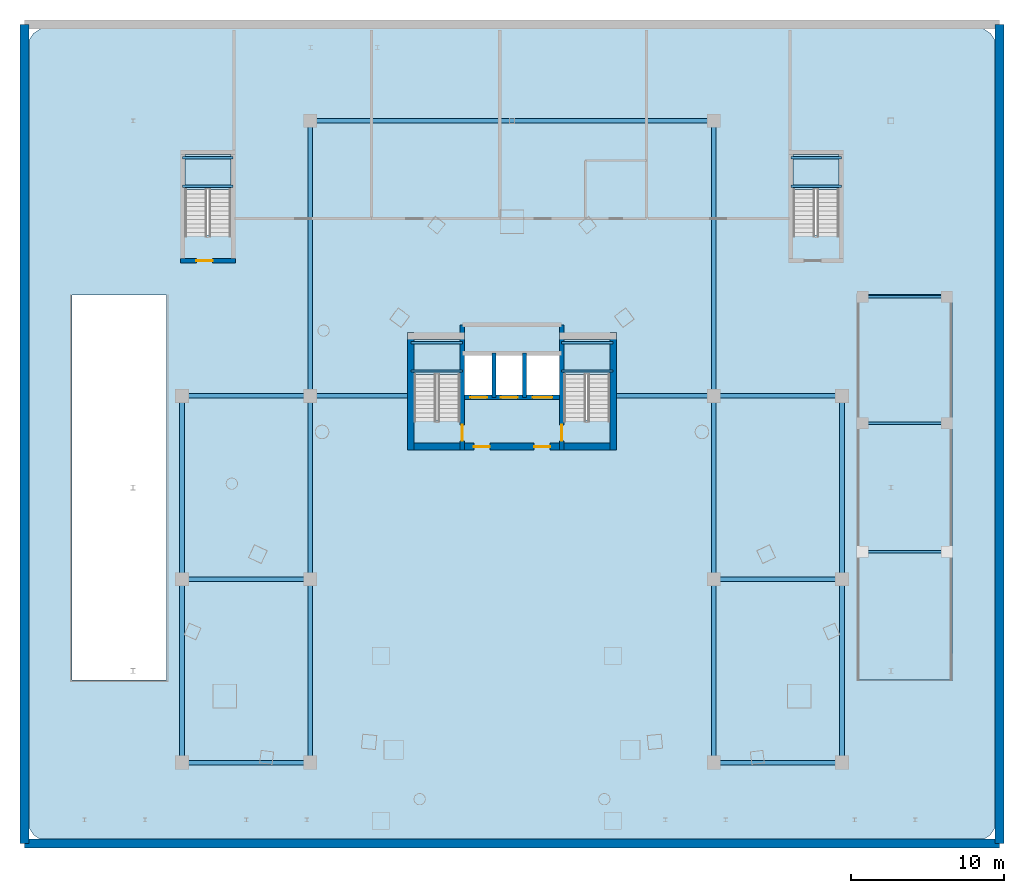
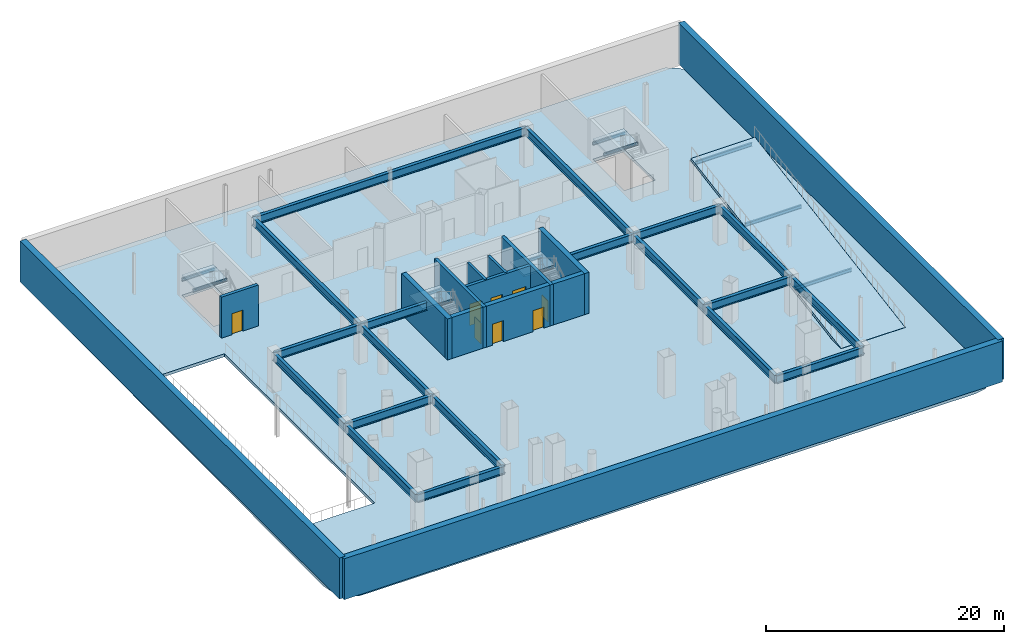
# One storey, part 5 of 10: 30 beams, 12 walls, 8 doors, 6 slabs, 8 openings, 4 elements without a shape of their own.
"""IFC4 building model written with IfcOpenShell, lengths in metres."""

from ifc_helpers import new_model, si_unit, direction, frame, frame_2d, origin, origin_2d, place, context, subcontext, project, spatial, polyline, rectangle, i_section, outline, extrude, material, layer, layer_set, material_profile, profile_set, type_object, element, fill, aggregate, save


model = new_model("IFC4")

# Units and contexts
model_context = context("Model", 3, precision=1e-05, world=origin(), true_north=direction((0.0, 1.0)))
body_context = subcontext(model_context, "Body", "Model", "MODEL_VIEW")
ifc_project = project(units=[si_unit("LENGTHUNIT", "METRE"), si_unit("AREAUNIT", "SQUARE_METRE"), si_unit("VOLUMEUNIT", "CUBIC_METRE"), si_unit("PLANEANGLEUNIT", "RADIAN"), si_unit("MASSUNIT", "GRAM", prefix="KILO")], contexts=[model_context])

# Site, building, storey
site_placement = place(None, origin())
site = spatial("IfcSite", under=ifc_project, at=site_placement, CompositionType="ELEMENT")
building_placement = place(site_placement, origin())
building = spatial("IfcBuilding", under=site, at=building_placement, Name="Orvanel Arch Residences", CompositionType="ELEMENT")
storey_placement = place(building_placement, frame((0.0, 0.0, -4.199951171875)))
storey = spatial("IfcBuildingStorey", under=building, at=storey_placement, Name="B01", CompositionType="ELEMENT", Elevation=-4.199951171875)

# Beams
ifc_material_1 = material(Name="Structural steel AS/NZS 3678 Grade 350", Category="steel")
ifc_material_profile_1 = material_profile(ifc_material_1, i_section(OverallWidth=0.300048828125, OverallDepth=0.81591796875, WebThickness=0.013916015625, FlangeThickness=0.02392578125, at=origin_2d()), Name="800WB192")
ifc_profile_set_1 = profile_set([ifc_material_profile_1], Name="Structural steel AS/NZS 3678 Grade 350")
beam_type_1 = type_object("IfcBeamType", Name="BG-800WB", PredefinedType="BEAM", material=ifc_profile_set_1)
for number, where, z_axis, x_axis, name in (
    (1, (11.39990234375, 6.0, 3.44189453125), (1.0, 0.0, 0.0), (0.0, 1.0, 0.0), "B01 BG-800WB beam"),
    (2, (46.199951171875, 6.0, 3.44189453125), (1.0, 0.0, 0.0), (0.0, 1.0, 0.0), "B01 BG-800WB beam"),
    (3, (11.39990234375, 18.0, 3.44189453125), (1.0, 0.0, 0.0), (0.0, 1.0, 0.0), "B01 BG-800WB beam"),
    (4, (46.199951171875, 18.0, 3.44189453125), (1.0, 0.0, 0.0), (0.0, 1.0, 0.0), "B01 BG-800WB beam"),
    (5, (11.39990234375, 30.0, 3.44189453125), (1.0, 0.0, 0.0), (0.0, 1.0, 0.0), "B01 BG-800WB beam"),
    (6, (46.199951171875, 30.0, 3.44189453125), (1.0, 0.0, 0.0), (0.0, 1.0, 0.0), "B01 BG-800WB beam"),
):
    element("IfcBeam", number, at=place(storey_placement, frame(where, z_axis=z_axis, x_axis=x_axis)), inside=storey, type_object=beam_type_1, Name=name, PredefinedType="BEAM", context=body_context, shape_type="SweptSolid", body=[
        extrude(i_section(OverallWidth=0.300048828125, OverallDepth=0.81591796875, WebThickness=0.013916015625, FlangeThickness=0.02392578125, at=origin_2d()), origin(), (0.0, 0.0, 1.0), 8.400146484375),
    ])
for number, where, z_axis, x_axis, name in (
    (7, (19.800048828125, 30.0, 3.44189453125), (1.0, 0.0, 0.0), (0.0, 1.0, 0.0), "B01 BG-800WB beam"),
    (8, (39.625, 30.0, 3.44189453125), (1.0, 0.0, 0.0), (0.0, 1.0, 0.0), "B01 BG-800WB beam"),
):
    element("IfcBeam", number, at=place(storey_placement, frame(where, z_axis=z_axis, x_axis=x_axis)), inside=storey, type_object=beam_type_1, Name=name, PredefinedType="BEAM", context=body_context, shape_type="SweptSolid", body=[
        extrude(i_section(OverallWidth=0.300048828125, OverallDepth=0.81591796875, WebThickness=0.013916015625, FlangeThickness=0.02392578125, at=origin_2d()), origin(), (0.0, 0.0, 1.0), 6.574951171875),
    ])
beam_1_placement = place(storey_placement, frame((19.800048828125, 48.0, 3.44189453125), z_axis=(1.0, 0.0, 0.0), x_axis=(0.0, 1.0, 0.0)))
element("IfcBeam", 9, at=beam_1_placement, inside=storey, type_object=beam_type_1, Name="B01 BG-800WB beam", PredefinedType="BEAM", context=body_context, shape_type="SweptSolid", body=[
    extrude(i_section(OverallWidth=0.300048828125, OverallDepth=0.81591796875, WebThickness=0.013916015625, FlangeThickness=0.02392578125, at=origin_2d()), origin(), (0.0, 0.0, 1.0), 26.39990234375),
])
for number, where, z_axis, x_axis, name in (
    (10, (11.39990234375, 6.0, 3.44189453125), (0.0, 1.0, 0.0), (-1.0, 0.0, 0.0), "B01 North-South Podium Girder XW11-S"),
    (11, (11.39990234375, 18.0, 3.44189453125), (0.0, 1.0, 0.0), (-1.0, 0.0, 0.0), "B01 North-South Podium Girder XW11-M"),
    (12, (19.800048828125, 6.0, 3.44189453125), (0.0, 1.0, 0.0), (-1.0, 0.0, 0.0), "B01 North-South Podium Girder XW20-S"),
    (13, (19.800048828125, 18.0, 3.44189453125), (0.0, 1.0, 0.0), (-1.0, 0.0, 0.0), "B01 North-South Podium Girder XW20-M"),
):
    element("IfcBeam", number, at=place(storey_placement, frame(where, z_axis=z_axis, x_axis=x_axis)), inside=storey, type_object=beam_type_1, Name=name, PredefinedType="BEAM", context=body_context, shape_type="SweptSolid", body=[
        extrude(i_section(OverallWidth=0.300048828125, OverallDepth=0.81591796875, WebThickness=0.013916015625, FlangeThickness=0.02392578125, at=origin_2d()), origin(), (0.0, 0.0, 1.0), 12.0),
    ])
beam_2_placement = place(storey_placement, frame((19.800048828125, 30.0, 3.44189453125), z_axis=(0.0, 1.0, 0.0), x_axis=(-1.0, 0.0, 0.0)))
element("IfcBeam", 14, at=beam_2_placement, inside=storey, type_object=beam_type_1, Name="B01 North-South Podium Girder XW20-N", PredefinedType="BEAM", context=body_context, shape_type="SweptSolid", body=[
    extrude(i_section(OverallWidth=0.300048828125, OverallDepth=0.81591796875, WebThickness=0.013916015625, FlangeThickness=0.02392578125, at=origin_2d()), origin(), (0.0, 0.0, 1.0), 18.0),
])
for number, where, z_axis, x_axis, name in (
    (15, (46.199951171875, 6.0, 3.44189453125), (0.0, 1.0, 0.0), (-1.0, 0.0, 0.0), "B01 North-South Podium Girder XE46-S"),
    (16, (46.199951171875, 18.0, 3.44189453125), (0.0, 1.0, 0.0), (-1.0, 0.0, 0.0), "B01 North-South Podium Girder XE46-M"),
):
    element("IfcBeam", number, at=place(storey_placement, frame(where, z_axis=z_axis, x_axis=x_axis)), inside=storey, type_object=beam_type_1, Name=name, PredefinedType="BEAM", context=body_context, shape_type="SweptSolid", body=[
        extrude(i_section(OverallWidth=0.300048828125, OverallDepth=0.81591796875, WebThickness=0.013916015625, FlangeThickness=0.02392578125, at=origin_2d()), origin(), (0.0, 0.0, 1.0), 12.0),
    ])
beam_3_placement = place(storey_placement, frame((46.199951171875, 30.0, 3.44189453125), z_axis=(0.0, 1.0, 0.0), x_axis=(-1.0, 0.0, 0.0)))
element("IfcBeam", 17, at=beam_3_placement, inside=storey, type_object=beam_type_1, Name="B01 North-South Podium Girder XE46-N", PredefinedType="BEAM", context=body_context, shape_type="SweptSolid", body=[
    extrude(i_section(OverallWidth=0.300048828125, OverallDepth=0.81591796875, WebThickness=0.013916015625, FlangeThickness=0.02392578125, at=origin_2d()), origin(), (0.0, 0.0, 1.0), 18.0),
])
for number, where, z_axis, x_axis, name in (
    (18, (54.60009765625, 6.0, 3.44189453125), (0.0, 1.0, 0.0), (-1.0, 0.0, 0.0), "B01 North-South Podium Girder XE55-S"),
    (19, (54.60009765625, 18.0, 3.44189453125), (0.0, 1.0, 0.0), (-1.0, 0.0, 0.0), "B01 North-South Podium Girder XE55-M"),
):
    element("IfcBeam", number, at=place(storey_placement, frame(where, z_axis=z_axis, x_axis=x_axis)), inside=storey, type_object=beam_type_1, Name=name, PredefinedType="BEAM", context=body_context, shape_type="SweptSolid", body=[
        extrude(i_section(OverallWidth=0.300048828125, OverallDepth=0.81591796875, WebThickness=0.013916015625, FlangeThickness=0.02392578125, at=origin_2d()), origin(), (0.0, 0.0, 1.0), 12.0),
    ])
ifc_material_2 = material(Name="Structural steel AS/NZS 3679.1 Grade 300 (300 MPa)", Category="steel")
ifc_material_profile_2 = material_profile(ifc_material_2, i_section(OverallWidth=0.14599609375, OverallDepth=0.251953125, WebThickness=0.006103515625, FlangeThickness=0.008544921875, at=origin_2d()), Name="250UB31.4")
ifc_profile_set_2 = profile_set([ifc_material_profile_2], Name="Structural steel AS/NZS 3679.1 Grade 300 (300 MPa)")
beam_type_2 = type_object("IfcBeamType", Name="BJ-250UB", PredefinedType="JOIST", material=ifc_profile_set_2)
for number, where, z_axis, x_axis, name in (
    (20, (26.39990234375, 31.6201171875, 1.77392578125), (1.0, 0.0, 0.0), (0.0, 1.0, 0.0), "B01 ST-1 Half-Landing Support Beam 1.1"),
    (21, (26.39990234375, 33.47998046875, 1.77392578125), (1.0, 0.0, 0.0), (0.0, 1.0, 0.0), "B01 ST-1 Half-Landing Support Beam 1.2"),
    (22, (36.25, 31.6201171875, 1.77392578125), (1.0, 0.0, 0.0), (0.0, 1.0, 0.0), "B01 ST-2 Half-Landing Support Beam 1.1"),
    (23, (36.25, 33.47998046875, 1.77392578125), (1.0, 0.0, 0.0), (0.0, 1.0, 0.0), "B01 ST-2 Half-Landing Support Beam 1.2"),
):
    element("IfcBeam", number, at=place(storey_placement, frame(where, z_axis=z_axis, x_axis=x_axis)), inside=storey, type_object=beam_type_2, Name=name, PredefinedType="JOIST", context=body_context, shape_type="SweptSolid", body=[
        extrude(i_section(OverallWidth=0.14599609375, OverallDepth=0.251953125, WebThickness=0.006103515625, FlangeThickness=0.008544921875, at=origin_2d()), origin(), (0.0, 0.0, 1.0), 3.35009765625),
    ])
for number, where, z_axis, x_axis, name in (
    (24, (11.449951171875, 43.719970703125, 1.77392578125), (1.0, 0.0, 0.0), (0.0, 1.0, 0.0), "B01 ST-3 Half-Landing Support Beam 1.1"),
    (25, (11.449951171875, 45.580078125, 1.77392578125), (1.0, 0.0, 0.0), (0.0, 1.0, 0.0), "B01 ST-3 Half-Landing Support Beam 1.2"),
    (26, (51.25, 43.719970703125, 1.77392578125), (1.0, 0.0, 0.0), (0.0, 1.0, 0.0), "B01 ST-4 Half-Landing Support Beam 1.1"),
    (27, (51.25, 45.580078125, 1.77392578125), (1.0, 0.0, 0.0), (0.0, 1.0, 0.0), "B01 ST-4 Half-Landing Support Beam 1.2"),
):
    element("IfcBeam", number, at=place(storey_placement, frame(where, z_axis=z_axis, x_axis=x_axis)), inside=storey, type_object=beam_type_2, Name=name, PredefinedType="JOIST", context=body_context, shape_type="SweptSolid", body=[
        extrude(i_section(OverallWidth=0.14599609375, OverallDepth=0.251953125, WebThickness=0.006103515625, FlangeThickness=0.008544921875, at=origin_2d()), origin(), (0.0, 0.0, 1.0), 3.300048828125),
    ])
ifc_material_profile_3 = material_profile(ifc_material_2, i_section(OverallWidth=0.1708984375, OverallDepth=0.35595703125, WebThickness=0.00732421875, FlangeThickness=0.011474609375, at=origin_2d()), Name="360UB50.7")
ifc_profile_set_3 = profile_set([ifc_material_profile_3], Name="Structural steel AS/NZS 3679.1 Grade 300 (300 MPa)")
beam_type_3 = type_object("IfcBeamType", Name="BJ-360UB", PredefinedType="JOIST", material=ifc_profile_set_3)
for number, where, z_axis, x_axis, name in (
    (28, (55.949951171875, 19.800048828125, 0.94189453125), (1.0, 0.0, 0.0), (0.0, 1.0, 0.0), "B01 East Ramp Support Cross-Beam"),
    (29, (55.949951171875, 28.199951171875, 2.342041015625), (1.0, 0.0, 0.0), (0.0, 1.0, 0.0), "B01 East Ramp Support Cross-Beam"),
    (30, (55.949951171875, 36.5, 3.671875), (1.0, 0.0, 0.0), (0.0, 1.0, 0.0), "B01 East Ramp Support Cross-Beam"),
):
    element("IfcBeam", number, at=place(storey_placement, frame(where, z_axis=z_axis, x_axis=x_axis)), inside=storey, type_object=beam_type_3, Name=name, PredefinedType="JOIST", context=body_context, shape_type="SweptSolid", body=[
        extrude(i_section(OverallWidth=0.1708984375, OverallDepth=0.35595703125, WebThickness=0.00732421875, FlangeThickness=0.011474609375, at=origin_2d()), origin(), (0.0, 0.0, 1.0), 5.5),
    ])

# Slab
ifc_material_3 = material(Name="Concrete N40 (40 MPa)", Category="concrete")
ifc_layer_1 = layer(ifc_material_3, 0.300048828125)
ifc_layer_set_1 = layer_set([ifc_layer_1], Name="Concrete N40 (40 MPa)")
slab_type_1 = type_object("IfcSlabType", Name="SLB-BSM-300", PredefinedType="FLOOR", material=ifc_layer_set_1)
slab_1_placement = place(storey_placement, frame((0.0, 0.0, -0.300048828125)))
element("IfcSlab", 31, at=slab_1_placement, inside=storey, type_object=slab_type_1, Name="B01 Basement Car-Park Suspended Slab", PredefinedType="FLOOR", context=body_context, shape_type="SweptSolid", body=[
    extrude(outline(polyline([(62.199951171875, 0.39990234375), (63.347900390625, 0.6279296875), (64.321044921875, 1.279052734375), (64.971923828125, 2.251953125), (65.199951171875, 51.60009765625), (64.971923828125, 52.748046875), (64.321044921875, 53.720947265625), (63.347900390625, 54.3720703125), (3.800048828125, 54.60009765625), (2.652099609375, 54.3720703125), (1.678955078125, 53.720947265625), (1.028076171875, 52.748046875), (0.800048828125, 3.39990234375), (1.028076171875, 2.251953125), (1.678955078125, 1.279052734375), (2.652099609375, 0.6279296875), (62.199951171875, 0.39990234375)]), holes=[polyline([(26.60009765625, 28.429931640625), (26.60009765625, 33.699951171875), (29.60009765625, 33.699951171875), (29.60009765625, 28.429931640625), (26.60009765625, 28.429931640625)]), polyline([(36.39990234375, 28.429931640625), (36.39990234375, 33.699951171875), (39.39990234375, 33.699951171875), (39.39990234375, 28.429931640625), (36.39990234375, 28.429931640625)]), polyline([(11.60009765625, 40.530029296875), (11.60009765625, 45.800048828125), (14.60009765625, 45.800048828125), (14.60009765625, 40.530029296875), (11.60009765625, 40.530029296875)]), polyline([(51.39990234375, 40.530029296875), (51.39990234375, 45.800048828125), (54.39990234375, 45.800048828125), (54.39990234375, 40.530029296875), (51.39990234375, 40.530029296875)]), polyline([(29.89990234375, 32.64990234375), (31.75, 32.64990234375), (31.75, 29.949951171875), (29.89990234375, 29.949951171875), (29.89990234375, 32.64990234375)]), polyline([(31.89990234375, 32.64990234375), (33.75, 32.64990234375), (33.75, 29.949951171875), (31.89990234375, 29.949951171875), (31.89990234375, 32.64990234375)]), polyline([(33.89990234375, 32.64990234375), (36.10009765625, 32.64990234375), (36.10009765625, 29.949951171875), (33.89990234375, 29.949951171875), (33.89990234375, 32.64990234375)]), polyline([(4.199951171875, 36.60009765625), (10.39990234375, 36.60009765625), (10.39990234375, 11.39990234375), (4.199951171875, 11.39990234375), (4.199951171875, 36.60009765625)]), polyline([(55.580078125, 13.14990234375), (61.820068359375, 13.14990234375), (61.820068359375, 11.3798828125), (55.580078125, 11.3798828125), (55.580078125, 13.14990234375)])]), origin(), (0.0, 0.0, 1.0), 0.300048828125),
])

# Stair, slab
ifc_material_4 = material(Name="Precast concrete N50 (50 MPa)", Category="concrete")
stair_type = type_object("IfcStairType", Name="STR-DOG-175", PredefinedType="USERDEFINED", material=ifc_material_4)
stair_1_placement = place(storey_placement, origin())
stair_1 = element("IfcStair", 32, at=stair_1_placement, inside=storey, type_object=stair_type, Name="B01 Fire-Isolated Core Exit Stair 1", ObjectType="TWO_RETURN_STAIR", PredefinedType="USERDEFINED")
ifc_layer_2 = layer(ifc_material_3, 0.199951171875)
ifc_layer_set_2 = layer_set([ifc_layer_2], Name="Concrete N40 (40 MPa)")
slab_type_2 = type_object("IfcSlabType", Name="SLB-LND-200", PredefinedType="LANDING", material=ifc_layer_set_2)
slab_2_placement = place(storey_placement, frame((0.0, 0.0, 1.89990234375)))
slab_2 = element("IfcSlab", 33, at=slab_2_placement, type_object=slab_type_2, Name="ST-1 landing 1", PredefinedType="LANDING", context=body_context, shape_type="SweptSolid", body=[
    extrude(outline(polyline([(29.60009765625, 31.39990234375), (29.60009765625, 33.699951171875), (26.60009765625, 33.699951171875), (26.60009765625, 31.39990234375), (29.60009765625, 31.39990234375)])), origin(), (0.0, 0.0, 1.0), 0.199951171875),
])
aggregate(stair_1, [slab_2])

stair_2_placement = place(storey_placement, origin())
stair_2 = element("IfcStair", 34, at=stair_2_placement, inside=storey, type_object=stair_type, Name="B01 Fire-Isolated Core Exit Stair 2", ObjectType="TWO_RETURN_STAIR", PredefinedType="USERDEFINED")
slab_3_placement = place(storey_placement, frame((0.0, 0.0, 1.89990234375)))
slab_3 = element("IfcSlab", 35, at=slab_3_placement, type_object=slab_type_2, Name="ST-2 landing 1", PredefinedType="LANDING", context=body_context, shape_type="SweptSolid", body=[
    extrude(outline(polyline([(39.39990234375, 31.39990234375), (39.39990234375, 33.699951171875), (36.39990234375, 33.699951171875), (36.39990234375, 31.39990234375), (39.39990234375, 31.39990234375)])), origin(), (0.0, 0.0, 1.0), 0.199951171875),
])
aggregate(stair_2, [slab_3])

stair_3_placement = place(storey_placement, origin())
stair_3 = element("IfcStair", 36, at=stair_3_placement, inside=storey, type_object=stair_type, Name="B01 West Podium Fire-Isolated Exit Stair 3", ObjectType="TWO_RETURN_STAIR", PredefinedType="USERDEFINED")
slab_4_placement = place(storey_placement, frame((0.0, 0.0, 1.89990234375)))
slab_4 = element("IfcSlab", 37, at=slab_4_placement, type_object=slab_type_2, Name="ST-3 landing 1", PredefinedType="LANDING", context=body_context, shape_type="SweptSolid", body=[
    extrude(outline(polyline([(14.60009765625, 43.5), (14.60009765625, 45.800048828125), (11.60009765625, 45.800048828125), (11.60009765625, 43.5), (14.60009765625, 43.5)])), origin(), (0.0, 0.0, 1.0), 0.199951171875),
])
aggregate(stair_3, [slab_4])

stair_4_placement = place(storey_placement, origin())
stair_4 = element("IfcStair", 38, at=stair_4_placement, inside=storey, type_object=stair_type, Name="B01 East Podium Fire-Isolated Exit Stair 4", ObjectType="TWO_RETURN_STAIR", PredefinedType="USERDEFINED")
slab_5_placement = place(storey_placement, frame((0.0, 0.0, 1.89990234375)))
slab_5 = element("IfcSlab", 39, at=slab_5_placement, type_object=slab_type_2, Name="ST-4 landing 1", PredefinedType="LANDING", context=body_context, shape_type="SweptSolid", body=[
    extrude(outline(polyline([(54.39990234375, 43.5), (54.39990234375, 45.800048828125), (51.39990234375, 45.800048828125), (51.39990234375, 43.5), (54.39990234375, 43.5)])), origin(), (0.0, 0.0, 1.0), 0.199951171875),
])
aggregate(stair_4, [slab_5])

# Slab
ifc_material_5 = material(Name="Concrete N50 (50 MPa)", Category="concrete")
ifc_layer_3 = layer(ifc_material_5, 0.280029296875)
ifc_layer_set_3 = layer_set([ifc_layer_3], Name="Concrete N50 (50 MPa)")
slab_type_3 = type_object("IfcSlabType", Name="SLB-VRAMP-280", PredefinedType="FLOOR", material=ifc_layer_set_3)
slab_6_placement = place(storey_placement, frame((55.60009765625, 11.39990234375, 0.0), z_axis=(0.0, -0.164395887986, 0.98639444038), x_axis=(1.0, 0.0, 0.0)))
element("IfcSlab", 40, at=slab_6_placement, inside=storey, type_object=slab_type_3, Name="B01 to L00 Structural Vehicle Ramp Slab", PredefinedType="FLOOR", context=body_context, shape_type="SweptSolid", body=[
    extrude(outline(polyline([(0.0, 0.0), (6.199951171875, 0.0), (6.199951171875, 25.54778725514758), (0.0, 25.54778725514758), (0.0, 0.0)])), origin(), (0.0, 0.0, -1.0), 0.280029296875),
])

# Walls
ifc_layer_4 = layer(ifc_material_5, 0.60009765625)
ifc_layer_set_4 = layer_set([ifc_layer_4], Name="Concrete N50 (50 MPa)")
wall_type_1 = type_object("IfcWallType", Name="RW-BSM-600", PredefinedType="USERDEFINED", material=ifc_layer_set_4)
wall_1_placement = place(storey_placement, frame((1.10009765625, 0.699951171875, 0.0), z_axis=(0.0, 0.0, 1.0), x_axis=(1.0, 0.0, 0.0)))
element("IfcWall", 41, at=wall_1_placement, inside=storey, type_object=wall_type_1, Name="B01 S Basement Retaining Wall", ObjectType="RETAININGWALL", PredefinedType="USERDEFINED", context=body_context, shape_type="SweptSolid", body=[
    extrude(rectangle(XDim=63.7998046875, YDim=0.60009765625, at=frame_2d((31.89990234375, 0.0))), origin(), (0.0, 0.0, 1.0), 4.199951171875),
])
for number, where, z_axis, x_axis, name in (
    (42, (64.89990234375, 0.699951171875, 0.0), (0.0, 0.0, 1.0), (0.0, 1.0, 0.0), "B01 E Basement Retaining Wall"),
    (43, (1.10009765625, 54.300048828125, 0.0), (0.0, 0.0, 1.0), (0.0, -1.0, 0.0), "B01 W Basement Retaining Wall"),
):
    element("IfcWall", number, at=place(storey_placement, frame(where, z_axis=z_axis, x_axis=x_axis)), inside=storey, type_object=wall_type_1, Name=name, ObjectType="RETAININGWALL", PredefinedType="USERDEFINED", context=body_context, shape_type="SweptSolid", body=[
        extrude(rectangle(XDim=53.60009765625, YDim=0.60009765625, at=frame_2d((26.800048828125, 0.0))), origin(), (0.0, 0.0, 1.0), 4.199951171875),
    ])
ifc_layer_5 = layer(ifc_material_5, 0.25)
ifc_layer_set_5 = layer_set([ifc_layer_5], Name="Concrete N50 (50 MPa)")
wall_type_2 = type_object("IfcWallType", Name="SW-CORE-250", PredefinedType="SHEAR", material=ifc_layer_set_5)
for number, where, z_axis, x_axis, name in (
    (44, (31.824951171875, 29.89990234375, 0.0), (0.0, 0.0, 1.0), (0.0, 1.0, 0.0), "B01 Emergency Lift Inter-Shaft Wall F12"),
    (45, (33.824951171875, 29.89990234375, 0.0), (0.0, 0.0, 1.0), (0.0, 1.0, 0.0), "B01 Emergency Lift Inter-Shaft Wall F2G"),
):
    element("IfcWall", number, at=place(storey_placement, frame(where, z_axis=z_axis, x_axis=x_axis)), inside=storey, type_object=wall_type_2, Name=name, PredefinedType="SHEAR", context=body_context, shape_type="SweptSolid", body=[
        extrude(rectangle(XDim=2.900146484375, YDim=0.25, at=frame_2d((1.4501953125, 0.0))), origin(), (0.0, 0.0, 1.0), 4.199951171875),
    ])

# Wall, opening, door
ifc_material_6 = material(Name="Concrete S80 (80 MPa)", Category="concrete")
ifc_layer_6 = layer(ifc_material_6, 0.300048828125)
ifc_layer_set_6 = layer_set([ifc_layer_6], Name="Concrete S80 (80 MPa)")
wall_type_3 = type_object("IfcWallType", Name="SW-CORE-300", PredefinedType="SHEAR", material=ifc_layer_set_6)
wall_2_placement = place(storey_placement, frame((29.75, 26.449951171875, 0.0), z_axis=(0.0, 0.0, 1.0), x_axis=(0.0, 1.0, 0.0)))
wall_2 = element("IfcWall", 46, at=wall_2_placement, inside=storey, type_object=wall_type_3, Name="B01 West Inner Core Spine Shear Wall", PredefinedType="SHEAR", context=body_context, shape_type="SweptSolid", body=[
    extrude(rectangle(XDim=8.199951171875, YDim=0.300048828125, at=frame_2d((4.10009765625, 0.0))), origin(), (0.0, 0.0, 1.0), 4.199951171875),
])
opening_1_placement = place(wall_2_placement, frame((0.60009765625, 0.0, 0.0)))
opening_1 = element("IfcOpeningElement", 47, at=opening_1_placement, cuts=wall_2, Name="Opening DF-120", PredefinedType="OPENING", context=body_context, shape_type="SweptSolid", body=[
    extrude(rectangle(XDim=1.050048828125, YDim=2.14990234375, at=frame_2d((0.52490234375, 1.074951171875))), frame((0.0, 0.159912109375, 0.0), z_axis=(0.0, -1.0, 0.0), x_axis=(1.0, 0.0, 0.0)), (0.0, 0.0, 1.0), 0.320068359375),
])
ifc_material_7 = material(Name="Galvanised steel fire-resisting door assembly", Category="steel")
door_type_1 = type_object("IfcDoorType", Name="DR-FD120-1050", OperationType="NOTDEFINED", PredefinedType="DOOR", material=ifc_material_7)
door_1_placement = place(opening_1_placement, origin())
door_1 = element("IfcDoor", 48, at=door_1_placement, inside=storey, type_object=door_type_1, Name="DR-B01-ST1 B01 Stair 1 Fire Door", OperationType="SINGLE_SWING_LEFT", OverallHeight=2.14990234375, OverallWidth=1.050048828125, PredefinedType="DOOR", context=body_context, shape_type="SweptSolid", body=[
    extrude(rectangle(XDim=1.050048828125, YDim=2.14990234375, at=frame_2d((0.52490234375, 1.074951171875))), frame((0.0, 0.02490234375, 0.0), z_axis=(0.0, -1.0, 0.0), x_axis=(1.0, 0.0, 0.0)), (0.0, 0.0, 1.0), 0.050048828125),
])
fill(opening_1, door_1)

wall_3_placement = place(storey_placement, frame((36.25, 26.449951171875, 0.0), z_axis=(0.0, 0.0, 1.0), x_axis=(0.0, 1.0, 0.0)))
wall_3 = element("IfcWall", 49, at=wall_3_placement, inside=storey, type_object=wall_type_3, Name="B01 East Inner Core Spine Shear Wall", PredefinedType="SHEAR", context=body_context, shape_type="SweptSolid", body=[
    extrude(rectangle(XDim=8.199951171875, YDim=0.300048828125, at=frame_2d((4.10009765625, 0.0))), origin(), (0.0, 0.0, 1.0), 4.199951171875),
])
opening_2_placement = place(wall_3_placement, frame((0.60009765625, 0.0, 0.0)))
opening_2 = element("IfcOpeningElement", 50, at=opening_2_placement, cuts=wall_3, Name="Opening DF-120", PredefinedType="OPENING", context=body_context, shape_type="SweptSolid", body=[
    extrude(rectangle(XDim=1.050048828125, YDim=2.14990234375, at=frame_2d((0.52490234375, 1.074951171875))), frame((0.0, 0.159912109375, 0.0), z_axis=(0.0, -1.0, 0.0), x_axis=(1.0, 0.0, 0.0)), (0.0, 0.0, 1.0), 0.320068359375),
])
door_2_placement = place(opening_2_placement, origin())
door_2 = element("IfcDoor", 51, at=door_2_placement, inside=storey, type_object=door_type_1, Name="DR-B01-ST2 B01 Stair 2 Fire Door", OperationType="SINGLE_SWING_RIGHT", OverallHeight=2.14990234375, OverallWidth=1.050048828125, PredefinedType="DOOR", context=body_context, shape_type="SweptSolid", body=[
    extrude(rectangle(XDim=1.050048828125, YDim=2.14990234375, at=frame_2d((0.52490234375, 1.074951171875))), frame((0.0, 0.02490234375, 0.0), z_axis=(0.0, -1.0, 0.0), x_axis=(1.0, 0.0, 0.0)), (0.0, 0.0, 1.0), 0.050048828125),
])
fill(opening_2, door_2)

# Wall, openings, doors
wall_4_placement = place(storey_placement, frame((36.25, 29.89990234375, 0.0), z_axis=(0.0, 0.0, 1.0), x_axis=(-1.0, 0.0, 0.0)))
wall_4 = element("IfcWall", 52, at=wall_4_placement, inside=storey, type_object=wall_type_3, Name="B01 Emergency Lift Front Core Shear Wall", PredefinedType="SHEAR", context=body_context, shape_type="SweptSolid", body=[
    extrude(rectangle(XDim=6.5, YDim=0.300048828125, at=frame_2d((3.25, 0.0))), origin(), (0.0, 0.0, 1.0), 4.199951171875),
])
opening_3_placement = place(wall_4_placement, frame((4.875, 0.0, 0.0)))
opening_3 = element("IfcOpeningElement", 53, at=opening_3_placement, cuts=wall_4, Name="Opening LD-110", PredefinedType="OPENING", context=body_context, shape_type="SweptSolid", body=[
    extrude(rectangle(XDim=1.10009765625, YDim=2.199951171875, at=frame_2d((0.550048828125, 1.10009765625))), frame((0.0, 0.159912109375, 0.0), z_axis=(0.0, -1.0, 0.0), x_axis=(1.0, 0.0, 0.0)), (0.0, 0.0, 1.0), 0.320068359375),
])
opening_4_placement = place(wall_4_placement, frame((2.875, 0.0, 0.0)))
opening_4 = element("IfcOpeningElement", 54, at=opening_4_placement, cuts=wall_4, Name="Opening LD-110", PredefinedType="OPENING", context=body_context, shape_type="SweptSolid", body=[
    extrude(rectangle(XDim=1.10009765625, YDim=2.199951171875, at=frame_2d((0.550048828125, 1.10009765625))), frame((0.0, 0.159912109375, 0.0), z_axis=(0.0, -1.0, 0.0), x_axis=(1.0, 0.0, 0.0)), (0.0, 0.0, 1.0), 0.320068359375),
])
opening_5_placement = place(wall_4_placement, frame((0.60009765625, 0.0, 0.0)))
opening_5 = element("IfcOpeningElement", 55, at=opening_5_placement, cuts=wall_4, Name="Opening LD-130", PredefinedType="OPENING", context=body_context, shape_type="SweptSolid", body=[
    extrude(rectangle(XDim=1.300048828125, YDim=2.199951171875, at=frame_2d((0.64990234375, 1.10009765625))), frame((0.0, 0.159912109375, 0.0), z_axis=(0.0, -1.0, 0.0), x_axis=(1.0, 0.0, 0.0)), (0.0, 0.0, 1.0), 0.320068359375),
])
door_type_2 = type_object("IfcDoorType", Name="DR-LFT-1100", OperationType="NOTDEFINED", PredefinedType="DOOR", material=ifc_material_7)
door_3_placement = place(opening_3_placement, origin())
door_3 = element("IfcDoor", 56, at=door_3_placement, inside=storey, type_object=door_type_2, Name="LD-F1-B01 B01 Lift F1 Sliding Landing Door", OperationType="DOUBLE_DOOR_SLIDING", OverallHeight=2.199951171875, OverallWidth=1.10009765625, PredefinedType="DOOR", context=body_context, shape_type="SweptSolid", body=[
    extrude(rectangle(XDim=1.10009765625, YDim=2.199951171875, at=frame_2d((0.550048828125, 1.10009765625))), frame((0.0, 0.02490234375, 0.0), z_axis=(0.0, -1.0, 0.0), x_axis=(1.0, 0.0, 0.0)), (0.0, 0.0, 1.0), 0.050048828125),
])
fill(opening_3, door_3)
door_4_placement = place(opening_4_placement, origin())
door_4 = element("IfcDoor", 57, at=door_4_placement, inside=storey, type_object=door_type_2, Name="LD-F2-B01 B01 Lift F2 Sliding Landing Door", OperationType="DOUBLE_DOOR_SLIDING", OverallHeight=2.199951171875, OverallWidth=1.10009765625, PredefinedType="DOOR", context=body_context, shape_type="SweptSolid", body=[
    extrude(rectangle(XDim=1.10009765625, YDim=2.199951171875, at=frame_2d((0.550048828125, 1.10009765625))), frame((0.0, 0.02490234375, 0.0), z_axis=(0.0, -1.0, 0.0), x_axis=(1.0, 0.0, 0.0)), (0.0, 0.0, 1.0), 0.050048828125),
])
fill(opening_4, door_4)
door_type_3 = type_object("IfcDoorType", Name="DR-LFT-1300", OperationType="NOTDEFINED", PredefinedType="DOOR", material=ifc_material_7)
door_5_placement = place(opening_5_placement, origin())
door_5 = element("IfcDoor", 58, at=door_5_placement, inside=storey, type_object=door_type_3, Name="LD-G1-B01 B01 Lift G1 Sliding Landing Door", OperationType="DOUBLE_DOOR_SLIDING", OverallHeight=2.199951171875, OverallWidth=1.300048828125, PredefinedType="DOOR", context=body_context, shape_type="SweptSolid", body=[
    extrude(rectangle(XDim=1.300048828125, YDim=2.199951171875, at=frame_2d((0.64990234375, 1.10009765625))), frame((0.0, 0.02490234375, 0.0), z_axis=(0.0, -1.0, 0.0), x_axis=(1.0, 0.0, 0.0)), (0.0, 0.0, 1.0), 0.050048828125),
])
fill(opening_5, door_5)

# Wall, opening, door
wall_5_placement = place(storey_placement, frame((11.300048828125, 38.85009765625, 0.0), z_axis=(0.0, 0.0, 1.0), x_axis=(1.0, 0.0, 0.0)))
wall_5 = element("IfcWall", 59, at=wall_5_placement, inside=storey, type_object=wall_type_3, Name="B01 ST3 South Shear Wall", PredefinedType="SHEAR", context=body_context, shape_type="SweptSolid", body=[
    extrude(rectangle(XDim=3.599853515625, YDim=0.300048828125, at=frame_2d((1.7998046875, 0.0))), origin(), (0.0, 0.0, 1.0), 4.199951171875),
])
opening_6_placement = place(wall_5_placement, frame((1.050048828125, 0.0, 0.0)))
opening_6 = element("IfcOpeningElement", 60, at=opening_6_placement, cuts=wall_5, Name="Opening DF-120", PredefinedType="OPENING", context=body_context, shape_type="SweptSolid", body=[
    extrude(rectangle(XDim=1.050048828125, YDim=2.14990234375, at=frame_2d((0.52490234375, 1.074951171875))), frame((0.0, 0.159912109375, 0.0), z_axis=(0.0, -1.0, 0.0), x_axis=(1.0, 0.0, 0.0)), (0.0, 0.0, 1.0), 0.320068359375),
])
door_6_placement = place(opening_6_placement, origin())
door_6 = element("IfcDoor", 61, at=door_6_placement, inside=storey, type_object=door_type_1, Name="DR-B01-ST3 B01 ST3 Exit Door", OperationType="SINGLE_SWING_LEFT", OverallHeight=2.14990234375, OverallWidth=1.050048828125, PredefinedType="DOOR", context=body_context, shape_type="SweptSolid", body=[
    extrude(rectangle(XDim=1.050048828125, YDim=2.14990234375, at=frame_2d((0.52490234375, 1.074951171875))), frame((0.0, 0.02490234375, 0.0), z_axis=(0.0, -1.0, 0.0), x_axis=(1.0, 0.0, 0.0)), (0.0, 0.0, 1.0), 0.050048828125),
])
fill(opening_6, door_6)

# Wall, openings, doors
ifc_layer_7 = layer(ifc_material_6, 0.449951171875)
ifc_layer_set_7 = layer_set([ifc_layer_7], Name="Concrete S80 (80 MPa)")
wall_type_4 = type_object("IfcWallType", Name="SW-CORE-450", PredefinedType="SHEAR", material=ifc_layer_set_7)
wall_6_placement = place(storey_placement, frame((26.14990234375, 26.675048828125, 0.0), z_axis=(0.0, 0.0, 1.0), x_axis=(1.0, 0.0, 0.0)))
wall_6 = element("IfcWall", 62, at=wall_6_placement, inside=storey, type_object=wall_type_4, Name="B01 South Core Shear Wall", PredefinedType="SHEAR", context=body_context, shape_type="SweptSolid", body=[
    extrude(rectangle(XDim=13.7001953125, YDim=0.449951171875, at=frame_2d((6.85009765625, 0.0))), origin(), (0.0, 0.0, 1.0), 4.199951171875),
])
opening_7_placement = place(wall_6_placement, frame((4.35009765625, 0.0, 0.0)))
opening_7 = element("IfcOpeningElement", 63, at=opening_7_placement, cuts=wall_6, Name="Opening DF-060", PredefinedType="OPENING", context=body_context, shape_type="SweptSolid", body=[
    extrude(rectangle(XDim=1.050048828125, YDim=2.14990234375, at=frame_2d((0.52490234375, 1.074951171875))), frame((0.0, 0.23486328125, 0.0), z_axis=(0.0, -1.0, 0.0), x_axis=(1.0, 0.0, 0.0)), (0.0, 0.0, 1.0), 0.469970703125),
])
opening_8_placement = place(wall_6_placement, frame((8.300048828125, 0.0, 0.0)))
opening_8 = element("IfcOpeningElement", 64, at=opening_8_placement, cuts=wall_6, Name="Opening DF-060", PredefinedType="OPENING", context=body_context, shape_type="SweptSolid", body=[
    extrude(rectangle(XDim=1.050048828125, YDim=2.14990234375, at=frame_2d((0.52490234375, 1.074951171875))), frame((0.0, 0.23486328125, 0.0), z_axis=(0.0, -1.0, 0.0), x_axis=(1.0, 0.0, 0.0)), (0.0, 0.0, 1.0), 0.469970703125),
])
door_type_4 = type_object("IfcDoorType", Name="DR-FD60-1050", OperationType="NOTDEFINED", PredefinedType="DOOR", material=ifc_material_7)
door_7_placement = place(opening_7_placement, origin())
door_7 = element("IfcDoor", 65, at=door_7_placement, inside=storey, type_object=door_type_4, Name="DR-B01-FFL-W B01 West Smoke Lobby Door", OperationType="SINGLE_SWING_LEFT", OverallHeight=2.14990234375, OverallWidth=1.050048828125, PredefinedType="DOOR", context=body_context, shape_type="SweptSolid", body=[
    extrude(rectangle(XDim=1.050048828125, YDim=2.14990234375, at=frame_2d((0.52490234375, 1.074951171875))), frame((0.0, 0.02490234375, 0.0), z_axis=(0.0, -1.0, 0.0), x_axis=(1.0, 0.0, 0.0)), (0.0, 0.0, 1.0), 0.050048828125),
])
fill(opening_7, door_7)
door_8_placement = place(opening_8_placement, origin())
door_8 = element("IfcDoor", 66, at=door_8_placement, inside=storey, type_object=door_type_4, Name="DR-B01-FFL-E B01 East Smoke Lobby Door", OperationType="SINGLE_SWING_RIGHT", OverallHeight=2.14990234375, OverallWidth=1.050048828125, PredefinedType="DOOR", context=body_context, shape_type="SweptSolid", body=[
    extrude(rectangle(XDim=1.050048828125, YDim=2.14990234375, at=frame_2d((0.52490234375, 1.074951171875))), frame((0.0, 0.02490234375, 0.0), z_axis=(0.0, -1.0, 0.0), x_axis=(1.0, 0.0, 0.0)), (0.0, 0.0, 1.0), 0.050048828125),
])
fill(opening_8, door_8)

# Walls
for number, where, z_axis, x_axis, name in (
    (67, (26.375, 26.449951171875, 0.0), (0.0, 0.0, 1.0), (0.0, 1.0, 0.0), "B01 West Stair Shear Wall"),
    (68, (39.625, 26.449951171875, 0.0), (0.0, 0.0, 1.0), (0.0, 1.0, 0.0), "B01 East Stair Shear Wall"),
):
    element("IfcWall", number, at=place(storey_placement, frame(where, z_axis=z_axis, x_axis=x_axis)), inside=storey, type_object=wall_type_4, Name=name, PredefinedType="SHEAR", context=body_context, shape_type="SweptSolid", body=[
        extrude(rectangle(XDim=7.699951171875, YDim=0.449951171875, at=frame_2d((3.85009765625, 0.0))), origin(), (0.0, 0.0, 1.0), 4.199951171875),
    ])

save(model, "model.ifc")
